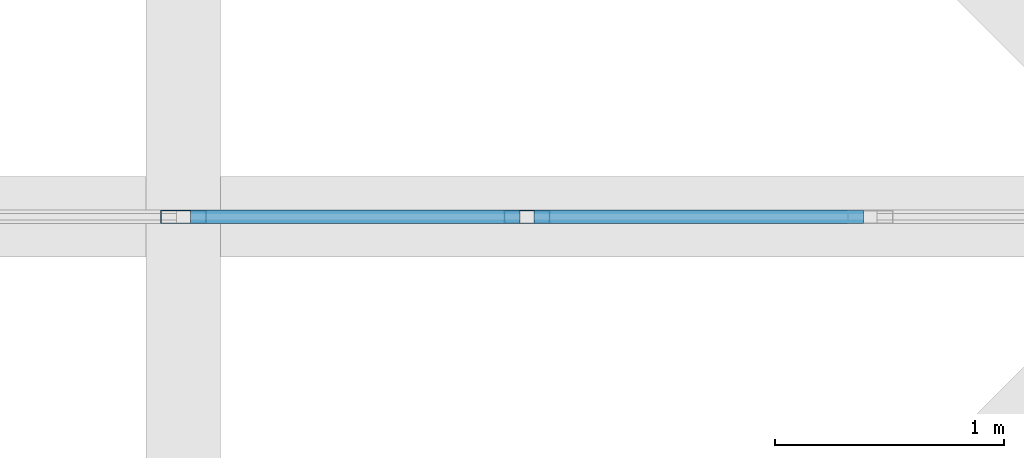
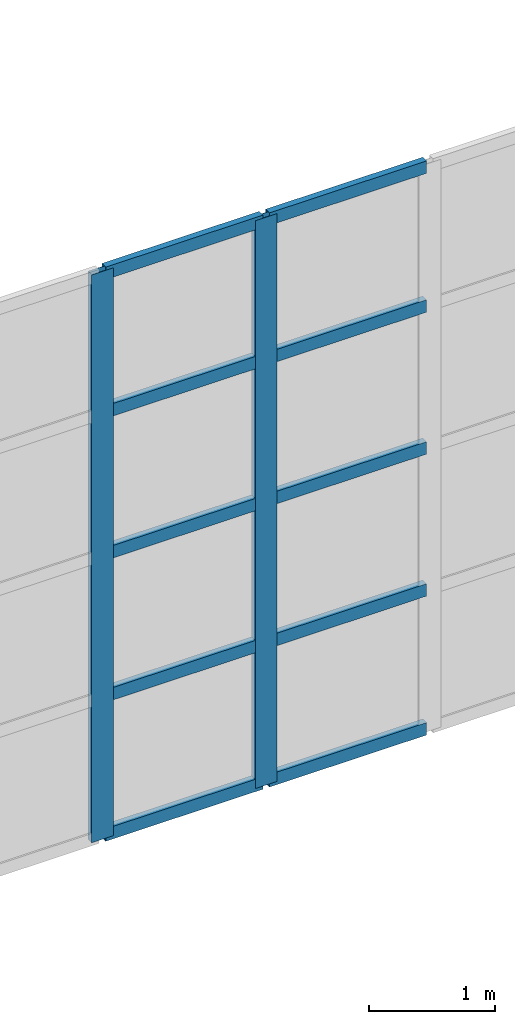
# One storey, part 170 of 437: 12 members, 1 element without a shape of its own.
"""IFC4 building model written with IfcOpenShell, lengths in metres."""

from ifc_helpers import new_model, si_unit, direction, frame, origin, origin_2d, place, context, subcontext, project, spatial, hollow_rectangle, extrude, material, layer, layer_set, material_profile, profile_set, type_object, element, aggregate, save


model = new_model("IFC4")

# Units and contexts
model_context = context("Model", 3, precision=1e-05, world=origin(), true_north=direction((0.0, 1.0)))
body_context = subcontext(model_context, "Body", "Model", "MODEL_VIEW")
ifc_project = project(units=[si_unit("LENGTHUNIT", "METRE"), si_unit("AREAUNIT", "SQUARE_METRE"), si_unit("VOLUMEUNIT", "CUBIC_METRE"), si_unit("PLANEANGLEUNIT", "RADIAN"), si_unit("MASSUNIT", "GRAM", prefix="KILO")], contexts=[model_context])

# Site, building, storey
site_placement = place(None, origin())
site = spatial("IfcSite", under=ifc_project, at=site_placement, CompositionType="ELEMENT")
building_placement = place(site_placement, origin())
building = spatial("IfcBuilding", under=site, at=building_placement, Name="Opaline Strait Convention Centre", CompositionType="ELEMENT")
storey_placement = place(building_placement, frame((0.0, 0.0, 11.5)))
storey = spatial("IfcBuildingStorey", under=building, at=storey_placement, Name="L02", CompositionType="ELEMENT", Elevation=11.5)

# Curtain wall, members
ifc_material_1 = material(Name="Aluminium framed glazing", Category="aluminium")
ifc_layer = layer(ifc_material_1, 0.199951171875)
ifc_layer_set = layer_set([ifc_layer], Name="Aluminium framed glazing")
curtain_wall_type = type_object("IfcCurtainWallType", Name="Entrance curtain wall 1500", PredefinedType="NOTDEFINED", material=ifc_layer_set)
curtain_wall_placement = place(storey_placement, origin())
curtain_wall = element("IfcCurtainWall", 1, at=curtain_wall_placement, inside=storey, type_object=curtain_wall_type, Name="Entrance curtain wall L02-R2", PredefinedType="NOTDEFINED")
ifc_material_2 = material(Name="Aluminium alloy 6063", Category="aluminium")
ifc_material_profile_1 = material_profile(ifc_material_2, hollow_rectangle(XDim=0.06005859375, YDim=0.199951171875, WallThickness=0.00390625, at=origin_2d()), Name="MULLION 60x200x4")
ifc_profile_set_1 = profile_set([ifc_material_profile_1], Name="Aluminium alloy 6063")
member_type_1 = type_object("IfcMemberType", Name="Curtain wall mullion 60 x 200", PredefinedType="MULLION", material=ifc_profile_set_1)
member_1_placement = place(storey_placement, frame((175.5, 144.0, 0.0), z_axis=(0.0, 0.0, 1.0), x_axis=(0.0, 1.0, 0.0)))
member_1 = element("IfcMember", 2, at=member_1_placement, type_object=member_type_1, Name="XCW mullion 4", PredefinedType="MULLION", context=body_context, shape_type="SweptSolid", body=[
    extrude(hollow_rectangle(XDim=0.06005859375, YDim=0.199951171875, WallThickness=0.00390625, at=origin_2d()), origin(), (0.0, 0.0, 1.0), 5.5),
])
member_2_placement = place(storey_placement, frame((177.0, 144.0, 0.0), z_axis=(0.0, 0.0, 1.0), x_axis=(0.0, 1.0, 0.0)))
member_2 = element("IfcMember", 3, at=member_2_placement, type_object=member_type_1, Name="XCW mullion 5", PredefinedType="MULLION", context=body_context, shape_type="SweptSolid", body=[
    extrude(hollow_rectangle(XDim=0.06005859375, YDim=0.199951171875, WallThickness=0.00390625, at=origin_2d()), origin(), (0.0, 0.0, 1.0), 5.5),
])
ifc_material_profile_2 = material_profile(ifc_material_2, hollow_rectangle(XDim=0.06005859375, YDim=0.1201171875, WallThickness=0.0029296875, at=origin_2d()), Name="TRANSOM 60x120x3")
ifc_profile_set_2 = profile_set([ifc_material_profile_2], Name="Aluminium alloy 6063")
member_type_2 = type_object("IfcMemberType", Name="Curtain wall transom 60 x 120", PredefinedType="USERDEFINED", material=ifc_profile_set_2)
member_3_placement = place(storey_placement, frame((175.530029296875, 144.0, 0.030029296875), z_axis=(1.0, 0.0, 0.0), x_axis=(0.0, 1.0, 0.0)))
member_3 = element("IfcMember", 4, at=member_3_placement, type_object=member_type_2, Name="XCW transom 4.1", ObjectType="TRANSOM", PredefinedType="USERDEFINED", context=body_context, shape_type="SweptSolid", body=[
    extrude(hollow_rectangle(XDim=0.06005859375, YDim=0.1201171875, WallThickness=0.0029296875, at=origin_2d()), origin(), (0.0, 0.0, 1.0), 1.43994140625),
])
member_4_placement = place(storey_placement, frame((175.530029296875, 144.0, 1.375), z_axis=(1.0, 0.0, 0.0), x_axis=(0.0, 1.0, 0.0)))
member_4 = element("IfcMember", 5, at=member_4_placement, type_object=member_type_2, Name="XCW transom 4.2", ObjectType="TRANSOM", PredefinedType="USERDEFINED", context=body_context, shape_type="SweptSolid", body=[
    extrude(hollow_rectangle(XDim=0.06005859375, YDim=0.1201171875, WallThickness=0.0029296875, at=origin_2d()), origin(), (0.0, 0.0, 1.0), 1.43994140625),
])
member_5_placement = place(storey_placement, frame((175.530029296875, 144.0, 2.75), z_axis=(1.0, 0.0, 0.0), x_axis=(0.0, 1.0, 0.0)))
member_5 = element("IfcMember", 6, at=member_5_placement, type_object=member_type_2, Name="XCW transom 4.3", ObjectType="TRANSOM", PredefinedType="USERDEFINED", context=body_context, shape_type="SweptSolid", body=[
    extrude(hollow_rectangle(XDim=0.06005859375, YDim=0.1201171875, WallThickness=0.0029296875, at=origin_2d()), origin(), (0.0, 0.0, 1.0), 1.43994140625),
])
member_6_placement = place(storey_placement, frame((175.530029296875, 144.0, 4.125), z_axis=(1.0, 0.0, 0.0), x_axis=(0.0, 1.0, 0.0)))
member_6 = element("IfcMember", 7, at=member_6_placement, type_object=member_type_2, Name="XCW transom 4.4", ObjectType="TRANSOM", PredefinedType="USERDEFINED", context=body_context, shape_type="SweptSolid", body=[
    extrude(hollow_rectangle(XDim=0.06005859375, YDim=0.1201171875, WallThickness=0.0029296875, at=origin_2d()), origin(), (0.0, 0.0, 1.0), 1.43994140625),
])
member_7_placement = place(storey_placement, frame((175.530029296875, 144.0, 5.469970703125), z_axis=(1.0, 0.0, 0.0), x_axis=(0.0, 1.0, 0.0)))
member_7 = element("IfcMember", 8, at=member_7_placement, type_object=member_type_2, Name="XCW transom 4.5", ObjectType="TRANSOM", PredefinedType="USERDEFINED", context=body_context, shape_type="SweptSolid", body=[
    extrude(hollow_rectangle(XDim=0.06005859375, YDim=0.1201171875, WallThickness=0.0029296875, at=origin_2d()), origin(), (0.0, 0.0, 1.0), 1.43994140625),
])
member_8_placement = place(storey_placement, frame((177.030029296875, 144.0, 0.030029296875), z_axis=(1.0, 0.0, 0.0), x_axis=(0.0, 1.0, 0.0)))
member_8 = element("IfcMember", 9, at=member_8_placement, type_object=member_type_2, Name="XCW transom 5.1", ObjectType="TRANSOM", PredefinedType="USERDEFINED", context=body_context, shape_type="SweptSolid", body=[
    extrude(hollow_rectangle(XDim=0.06005859375, YDim=0.1201171875, WallThickness=0.0029296875, at=origin_2d()), origin(), (0.0, 0.0, 1.0), 1.43994140625),
])
member_9_placement = place(storey_placement, frame((177.030029296875, 144.0, 1.375), z_axis=(1.0, 0.0, 0.0), x_axis=(0.0, 1.0, 0.0)))
member_9 = element("IfcMember", 10, at=member_9_placement, type_object=member_type_2, Name="XCW transom 5.2", ObjectType="TRANSOM", PredefinedType="USERDEFINED", context=body_context, shape_type="SweptSolid", body=[
    extrude(hollow_rectangle(XDim=0.06005859375, YDim=0.1201171875, WallThickness=0.0029296875, at=origin_2d()), origin(), (0.0, 0.0, 1.0), 1.43994140625),
])
member_10_placement = place(storey_placement, frame((177.030029296875, 144.0, 2.75), z_axis=(1.0, 0.0, 0.0), x_axis=(0.0, 1.0, 0.0)))
member_10 = element("IfcMember", 11, at=member_10_placement, type_object=member_type_2, Name="XCW transom 5.3", ObjectType="TRANSOM", PredefinedType="USERDEFINED", context=body_context, shape_type="SweptSolid", body=[
    extrude(hollow_rectangle(XDim=0.06005859375, YDim=0.1201171875, WallThickness=0.0029296875, at=origin_2d()), origin(), (0.0, 0.0, 1.0), 1.43994140625),
])
member_11_placement = place(storey_placement, frame((177.030029296875, 144.0, 4.125), z_axis=(1.0, 0.0, 0.0), x_axis=(0.0, 1.0, 0.0)))
member_11 = element("IfcMember", 12, at=member_11_placement, type_object=member_type_2, Name="XCW transom 5.4", ObjectType="TRANSOM", PredefinedType="USERDEFINED", context=body_context, shape_type="SweptSolid", body=[
    extrude(hollow_rectangle(XDim=0.06005859375, YDim=0.1201171875, WallThickness=0.0029296875, at=origin_2d()), origin(), (0.0, 0.0, 1.0), 1.43994140625),
])
member_12_placement = place(storey_placement, frame((177.030029296875, 144.0, 5.469970703125), z_axis=(1.0, 0.0, 0.0), x_axis=(0.0, 1.0, 0.0)))
member_12 = element("IfcMember", 13, at=member_12_placement, type_object=member_type_2, Name="XCW transom 5.5", ObjectType="TRANSOM", PredefinedType="USERDEFINED", context=body_context, shape_type="SweptSolid", body=[
    extrude(hollow_rectangle(XDim=0.06005859375, YDim=0.1201171875, WallThickness=0.0029296875, at=origin_2d()), origin(), (0.0, 0.0, 1.0), 1.43994140625),
])
aggregate(curtain_wall, [member_1, member_2, member_3, member_4, member_5, member_6, member_7, member_8, member_9, member_10, member_11, member_12])

save(model, "model.ifc")
